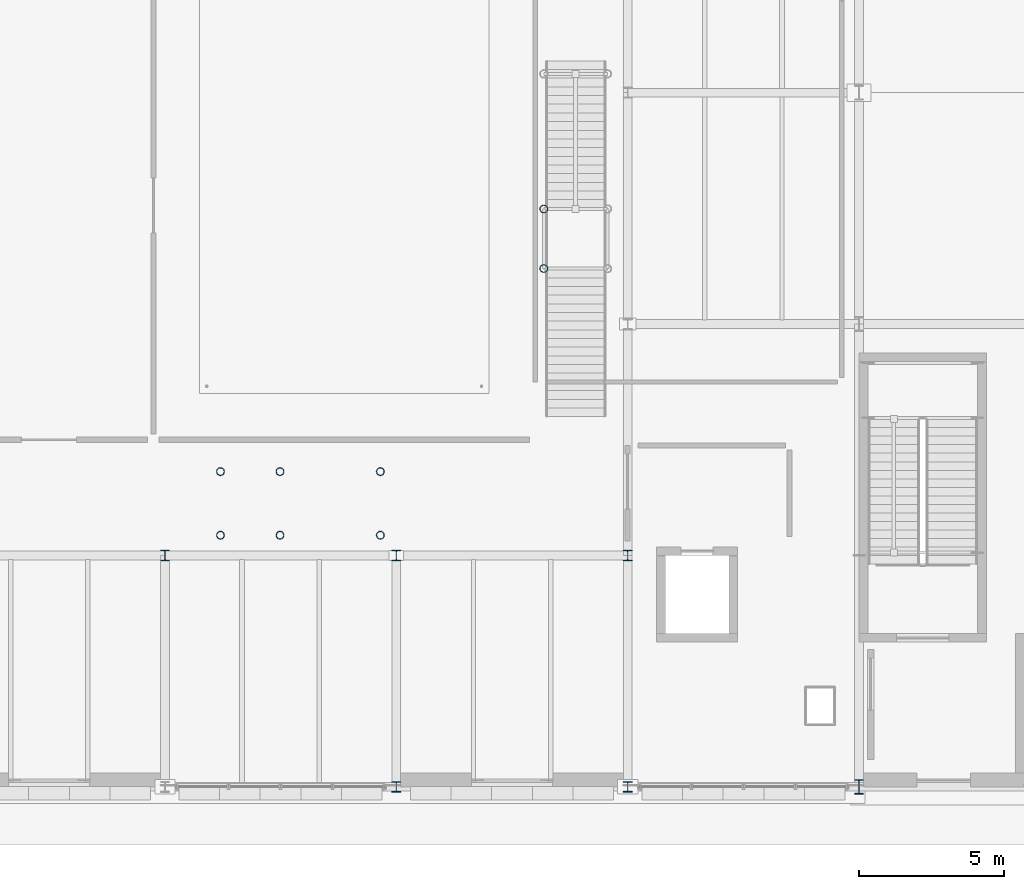
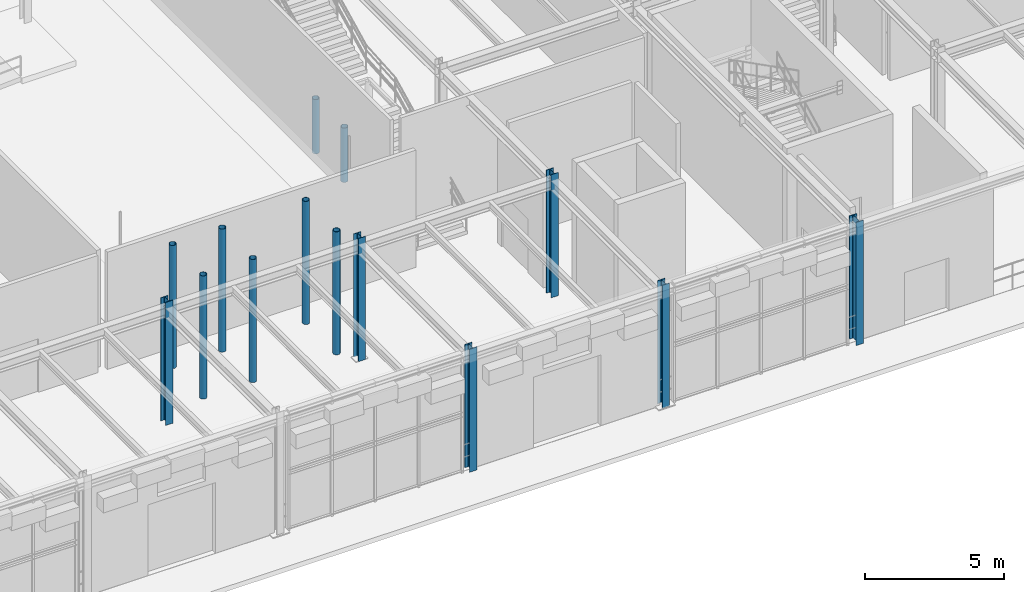
# One storey, part 4 of 129: 14 columns.
"""IFC4 building model written with IfcOpenShell, lengths in metres."""

from ifc_helpers import new_model, si_unit, direction, frame, origin, origin_2d, place, context, subcontext, project, spatial, hollow_circle, i_section, extrude, material, material_profile, profile_set, type_object, element, save


model = new_model("IFC4")

# Units and contexts
model_context = context("Model", 3, precision=1e-05, world=origin(), true_north=direction((0.0, 1.0)))
body_context = subcontext(model_context, "Body", "Model", "MODEL_VIEW")
ifc_project = project(units=[si_unit("LENGTHUNIT", "METRE"), si_unit("AREAUNIT", "SQUARE_METRE"), si_unit("VOLUMEUNIT", "CUBIC_METRE"), si_unit("PLANEANGLEUNIT", "RADIAN"), si_unit("MASSUNIT", "GRAM", prefix="KILO")], contexts=[model_context])

# Site, building, storey
site_placement = place(None, origin())
site = spatial("IfcSite", under=ifc_project, at=site_placement, CompositionType="ELEMENT")
building_placement = place(site_placement, origin())
building = spatial("IfcBuilding", under=site, at=building_placement, Name="Sundkrona Museum", CompositionType="ELEMENT")
storey_placement = place(building_placement, origin())
storey = spatial("IfcBuildingStorey", under=building, at=storey_placement, Name="L00", CompositionType="ELEMENT", Elevation=0.0)

# Columns
ifc_material = material(Name="Steel S355J2", Category="steel")
ifc_material_profile_1 = material_profile(ifc_material, hollow_circle(Radius=0.136474609375, WallThickness=0.012451171875, at=origin_2d()), Name="CHS 273.0x12.5")
ifc_profile_set_1 = profile_set([ifc_material_profile_1], Name="Steel S355J2")
column_type_1 = type_object("IfcColumnType", Name="C-CHS273", PredefinedType="COLUMN", material=ifc_profile_set_1)
for number, where, z_axis, x_axis, name in (
    (1, (109.10009765625, 17.919921875, 0.0), (0.0, 0.0, 1.0), (1.0, 0.0, 0.0), "L00 Feature Stair FS-1 Column S1-2"),
    (2, (109.10009765625, 19.97998046875, 0.0), (0.0, 0.0, 1.0), (1.0, 0.0, 0.0), "L00 Feature Stair FS-1 Column S2-2"),
):
    element("IfcColumn", number, at=place(storey_placement, frame(where, z_axis=z_axis, x_axis=x_axis)), inside=storey, type_object=column_type_1, Name=name, PredefinedType="COLUMN", context=body_context, shape_type="SweptSolid", body=[
        extrude(hollow_circle(Radius=0.136474609375, WallThickness=0.012451171875, at=origin_2d()), origin(), (0.0, 0.0, 1.0), 2.3798828125),
    ])
for number, where, z_axis, x_axis, name in (
    (3, (97.919921875, 8.699951171875, 0.0), (0.0, 0.0, 1.0), (1.0, 0.0, 0.0), "L00 Feature Stair FS-4 Column S1-1"),
    (4, (97.919921875, 10.89990234375, 0.0), (0.0, 0.0, 1.0), (1.0, 0.0, 0.0), "L00 Feature Stair FS-4 Column S1-2"),
    (5, (99.97998046875, 8.699951171875, 0.0), (0.0, 0.0, 1.0), (1.0, 0.0, 0.0), "L00 Feature Stair FS-4 Column S2-1"),
    (6, (99.97998046875, 10.89990234375, 0.0), (0.0, 0.0, 1.0), (1.0, 0.0, 0.0), "L00 Feature Stair FS-4 Column S2-2"),
    (7, (103.449951171875, 8.699951171875, 0.0), (0.0, 0.0, 1.0), (1.0, 0.0, 0.0), "L00 Feature Stair FS-4 Column S3-1"),
    (8, (103.449951171875, 10.89990234375, 0.0), (0.0, 0.0, 1.0), (1.0, 0.0, 0.0), "L00 Feature Stair FS-4 Column S3-2"),
):
    element("IfcColumn", number, at=place(storey_placement, frame(where, z_axis=z_axis, x_axis=x_axis)), inside=storey, type_object=column_type_1, Name=name, PredefinedType="COLUMN", context=body_context, shape_type="SweptSolid", body=[
        extrude(hollow_circle(Radius=0.136474609375, WallThickness=0.012451171875, at=origin_2d()), origin(), (0.0, 0.0, 1.0), 5.39990234375),
    ])
ifc_material_profile_2 = material_profile(ifc_material, i_section(OverallWidth=0.300048828125, OverallDepth=0.360107421875, WebThickness=0.012451171875, FlangeThickness=0.0224609375, FilletRadius=0.027099609375, at=origin_2d()), Name="HEB 360")
ifc_profile_set_2 = profile_set([ifc_material_profile_2], Name="Steel S355J2")
column_type_2 = type_object("IfcColumnType", Name="C-HEB360", PredefinedType="COLUMN", material=ifc_profile_set_2)
for number, where, z_axis, x_axis, name in (
    (9, (96.0, 8.0, 0.0), (0.0, 0.0, 1.0), (1.0, 0.0, 0.0), "L00 Column B/13"),
    (10, (104.0, 0.0, 0.0), (0.0, 0.0, 1.0), (1.0, 0.0, 0.0), "L00 Column A/14"),
    (11, (104.0, 8.0, 0.0), (0.0, 0.0, 1.0), (1.0, 0.0, 0.0), "L00 Column B/14"),
    (12, (112.0, 0.0, 0.0), (0.0, 0.0, 1.0), (1.0, 0.0, 0.0), "L00 Column A/15"),
    (13, (112.0, 8.0, 0.0), (0.0, 0.0, 1.0), (1.0, 0.0, 0.0), "L00 Column B/15"),
):
    element("IfcColumn", number, at=place(storey_placement, frame(where, z_axis=z_axis, x_axis=x_axis)), inside=storey, type_object=column_type_2, Name=name, PredefinedType="COLUMN", context=body_context, shape_type="SweptSolid", body=[
        extrude(i_section(OverallWidth=0.300048828125, OverallDepth=0.360107421875, WebThickness=0.012451171875, FlangeThickness=0.0224609375, FilletRadius=0.027099609375, at=origin_2d()), origin(), (0.0, 0.0, 1.0), 5.39990234375),
    ])
ifc_material_profile_3 = material_profile(ifc_material, i_section(OverallWidth=0.300048828125, OverallDepth=0.5, WebThickness=0.014404296875, FlangeThickness=0.028076171875, FilletRadius=0.027099609375, at=origin_2d()), Name="HEB 500")
ifc_profile_set_3 = profile_set([ifc_material_profile_3], Name="Steel S355J2")
column_type_3 = type_object("IfcColumnType", Name="C-HEB500", PredefinedType="COLUMN", material=ifc_profile_set_3)
column_placement = place(storey_placement, frame((120.0, 0.0, 0.0), z_axis=(0.0, 0.0, 1.0), x_axis=(1.0, 0.0, 0.0)))
element("IfcColumn", 14, at=column_placement, inside=storey, type_object=column_type_3, Name="L00 Column A/16", PredefinedType="COLUMN", context=body_context, shape_type="SweptSolid", body=[
    extrude(i_section(OverallWidth=0.300048828125, OverallDepth=0.5, WebThickness=0.014404296875, FlangeThickness=0.028076171875, FilletRadius=0.027099609375, at=origin_2d()), origin(), (0.0, 0.0, 1.0), 5.39990234375),
])

save(model, "model.ifc")
